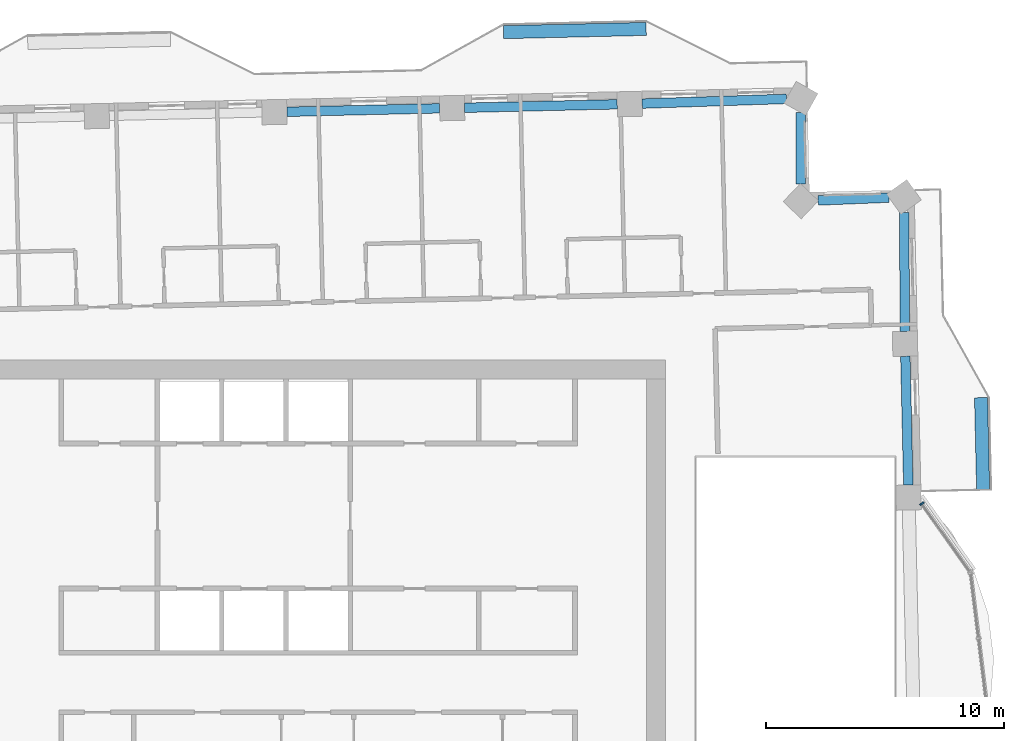
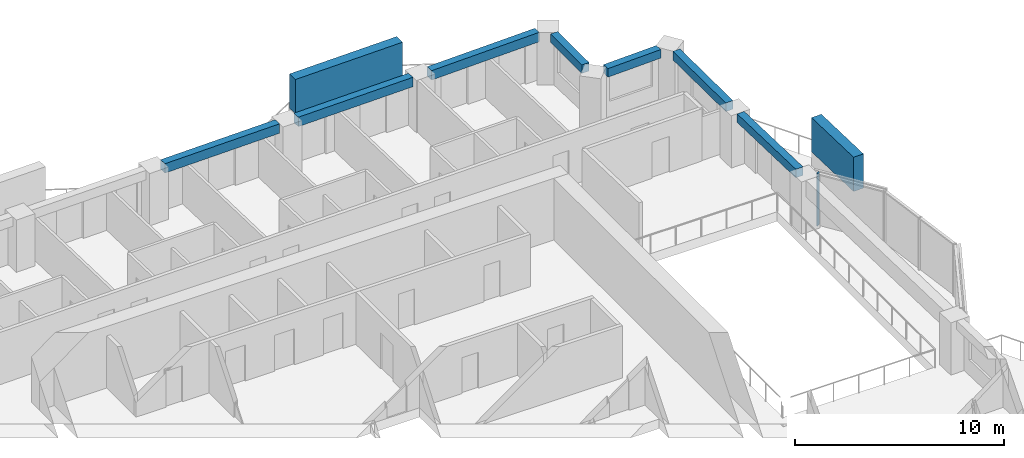
# One storey, part 4 of 17: 7 beams, 3 members, 1 element without a shape of its own.
"""IFC4 building model written with IfcOpenShell, lengths in metres."""

from ifc_helpers import new_model, si_unit, direction, frame, origin, origin_2d, place, context, subcontext, project, spatial, rectangle, extrude, material, material_profile, profile_set, type_object, element, aggregate, save


model = new_model("IFC4")

# Units and contexts
model_context = context("Model", 3, precision=1e-05, world=origin(), true_north=direction((0.0, 1.0)))
body_context = subcontext(model_context, "Body", "Model", "MODEL_VIEW")
ifc_project = project(units=[si_unit("LENGTHUNIT", "METRE"), si_unit("AREAUNIT", "SQUARE_METRE"), si_unit("VOLUMEUNIT", "CUBIC_METRE"), si_unit("PLANEANGLEUNIT", "RADIAN"), si_unit("MASSUNIT", "GRAM", prefix="KILO")], contexts=[model_context])

# Site, building, storey
site_placement = place(None, origin())
site = spatial("IfcSite", under=ifc_project, at=site_placement, CompositionType="ELEMENT")
building_placement = place(site_placement, origin())
building = spatial("IfcBuilding", under=site, at=building_placement, Name="Mangrove Gate Tower", CompositionType="ELEMENT")
storey_placement = place(building_placement, frame((0.0, 0.0, 241.89990234375)))
storey = spatial("IfcBuildingStorey", under=building, at=storey_placement, Name="L61", CompositionType="ELEMENT", Elevation=241.89990234375)

# Curtain wall, member
ifc_material_1 = material(Name="Aluminium and glass curtain wall", Category="aluminium")
curtain_wall_type = type_object("IfcCurtainWallType", Name="Atrium garden-court glazing wall", PredefinedType="NOTDEFINED", material=ifc_material_1)
curtain_wall_placement = place(storey_placement, origin())
curtain_wall = element("IfcCurtainWall", 1, at=curtain_wall_placement, inside=storey, type_object=curtain_wall_type, Name="Atrium garden-court glazing E1f3", PredefinedType="NOTDEFINED")
ifc_material_2 = material(Name="Aluminium alloy 6063-T6", Category="aluminium")
ifc_material_profile_1 = material_profile(ifc_material_2, rectangle(XDim=0.070068359375, YDim=0.199951171875, at=origin_2d()))
ifc_profile_set_1 = profile_set([ifc_material_profile_1], Name="Aluminium alloy 6063-T6")
member_type_1 = type_object("IfcMemberType", Name="Atrium garden-court glazing mullion 70x200", PredefinedType="MULLION", material=ifc_profile_set_1)
member_1_placement = place(storey_placement, frame((25.376708984375, 5.565185546875, 0.0), z_axis=(0.0, 0.0, 1.0), x_axis=(-0.578120908245, 0.815951110944, 0.0)))
member_1 = element("IfcMember", 2, at=member_1_placement, type_object=member_type_1, Name="CWA mullion 2", PredefinedType="MULLION", context=body_context, shape_type="SweptSolid", body=[
    extrude(rectangle(XDim=0.070068359375, YDim=0.199951171875, at=origin_2d()), origin(), (0.0, 0.0, 1.0), 3.050048828125),
])
aggregate(curtain_wall, [member_1])

# Members
ifc_material_3 = material(Name="Planting on aluminium trellis", Category="aluminium")
ifc_material_profile_2 = material_profile(ifc_material_3, rectangle(XDim=0.550048828125, YDim=2.0, at=origin_2d()))
ifc_profile_set_2 = profile_set([ifc_material_profile_2], Name="Planting on aluminium trellis")
member_type_2 = type_object("IfcMemberType", Name="Balcony greenery screen 550x2000", PredefinedType="USERDEFINED", material=ifc_profile_set_2)
member_2_placement = place(storey_placement, frame((27.949951171875, 6.14794921875, 1.800048828125), z_axis=(-0.022681332769, 0.999742745482, 0.0), x_axis=(-0.999742745482, -0.022681332769, 0.0)))
element("IfcMember", 3, at=member_2_placement, inside=storey, type_object=member_type_2, Name="GREEN SCREEN L61 E1.1", ObjectType="PLANTING", PredefinedType="USERDEFINED", context=body_context, shape_type="SweptSolid", body=[
    extrude(rectangle(XDim=0.550048828125, YDim=2.0, at=origin_2d()), origin(), (0.0, 0.0, 1.0), 3.875),
])
member_3_placement = place(storey_placement, frame((7.7890625, 25.385009765625, 1.800048828125), z_axis=(0.999743094499, 0.022665943652, 0.0), x_axis=(-0.022665943652, 0.999743094499, 0.0)))
element("IfcMember", 4, at=member_3_placement, inside=storey, type_object=member_type_2, Name="GREEN SCREEN L61 N0.1", ObjectType="PLANTING", PredefinedType="USERDEFINED", context=body_context, shape_type="SweptSolid", body=[
    extrude(rectangle(XDim=0.550048828125, YDim=2.0, at=origin_2d()), origin(), (0.0, 0.0, 1.0), 5.99951171875),
])

# Beams
ifc_material_4 = material(Name="Concrete C50/60", Category="concrete")
ifc_material_profile_3 = material_profile(ifc_material_4, rectangle(XDim=0.39990234375, YDim=0.5, at=origin_2d()))
ifc_profile_set_3 = profile_set([ifc_material_profile_3], Name="Concrete C50/60")
beam_type_1 = type_object("IfcBeamType", Name="Edge beam RC 400x500 C50/60", PredefinedType="BEAM", material=ifc_profile_set_3)
beam_1_placement = place(storey_placement, frame((24.80419921875, 6.350830078125, 2.800048828125), z_axis=(-0.022732675659, 0.999741579338, 0.0), x_axis=(-0.999741579338, -0.022732675659, 0.0)))
element("IfcBeam", 5, at=beam_1_placement, inside=storey, type_object=beam_type_1, Name="Edge beam L61 15", PredefinedType="BEAM", context=body_context, shape_type="SweptSolid", body=[
    extrude(rectangle(XDim=0.39990234375, YDim=0.5, at=origin_2d()), origin(), (0.0, 0.0, 1.0), 5.412841796875),
])
beam_2_placement = place(storey_placement, frame((24.6650390625, 12.812255859375, 2.800048828125), z_axis=(-0.007810736151, 0.999969495735, 0.0), x_axis=(-0.999969495735, -0.007810736151, 0.0)))
element("IfcBeam", 6, at=beam_2_placement, inside=storey, type_object=beam_type_1, Name="Edge beam L61 16", PredefinedType="BEAM", context=body_context, shape_type="SweptSolid", body=[
    extrude(rectangle(XDim=0.39990234375, YDim=0.5, at=origin_2d()), origin(), (0.0, 0.0, 1.0), 5.001220703125),
])
beam_3_placement = place(storey_placement, frame((23.99365234375, 18.429443359375, 2.800048828125), z_axis=(-0.999194139835, -0.040138147936, 0.0), x_axis=(0.040138147936, -0.999194139835, 0.0)))
element("IfcBeam", 7, at=beam_3_placement, inside=storey, type_object=beam_type_1, Name="Edge beam L61 17", PredefinedType="BEAM", context=body_context, shape_type="SweptSolid", body=[
    extrude(rectangle(XDim=0.39990234375, YDim=0.5, at=origin_2d()), origin(), (0.0, 0.0, 1.0), 2.98046875),
])
beam_4_placement = place(storey_placement, frame((20.287353515625, 19.005615234375, 2.800048828125), z_axis=(0.001549247978, 0.999998799915, 0.0), x_axis=(-0.999998799915, 0.001549247978, 0.0)))
element("IfcBeam", 8, at=beam_4_placement, inside=storey, type_object=beam_type_1, Name="Edge beam L61 18", PredefinedType="BEAM", context=body_context, shape_type="SweptSolid", body=[
    extrude(rectangle(XDim=0.39990234375, YDim=0.5, at=origin_2d()), origin(), (0.0, 0.0, 1.0), 2.994140625),
])
ifc_material_5 = material(Name="Concrete C50/60", Category="concrete")
ifc_material_profile_4 = material_profile(ifc_material_5, rectangle(XDim=0.39990234375, YDim=0.550048828125, at=origin_2d()))
ifc_profile_set_4 = profile_set([ifc_material_profile_4], Name="Concrete C50/60")
beam_type_2 = type_object("IfcBeamType", Name="Edge beam RC 400x550 C50/60", PredefinedType="BEAM", material=ifc_profile_set_4)
beam_5_placement = place(storey_placement, frame((19.68017578125, 22.58056640625, 2.775146484375), z_axis=(-0.999460172481, -0.032853669866, 0.0), x_axis=(0.032853669866, -0.999460172481, 0.0)))
element("IfcBeam", 9, at=beam_5_placement, inside=storey, type_object=beam_type_2, Name="Edge beam L61 19", PredefinedType="BEAM", context=body_context, shape_type="SweptSolid", body=[
    extrude(rectangle(XDim=0.39990234375, YDim=0.550048828125, at=origin_2d()), origin(), (0.0, 0.0, 1.0), 6.063720703125),
])
for number, where, z_axis, x_axis, name in (
    (10, (12.570068359375, 22.352294921875, 2.775146484375), (-0.999743815265, -0.022634129983, 0.0), (0.022634129983, -0.999743815265, 0.0), "Edge beam L61 20"),
    (11, (5.10400390625, 22.183349609375, 2.775146484375), (-0.999743815265, -0.022634129983, 0.0), (0.022634129983, -0.999743815265, 0.0), "Edge beam L61 21"),
):
    element("IfcBeam", number, at=place(storey_placement, frame(where, z_axis=z_axis, x_axis=x_axis)), inside=storey, type_object=beam_type_2, Name=name, PredefinedType="BEAM", context=body_context, shape_type="SweptSolid", body=[
        extrude(rectangle(XDim=0.39990234375, YDim=0.550048828125, at=origin_2d()), origin(), (0.0, 0.0, 1.0), 6.41796875),
    ])

save(model, "model.ifc")
